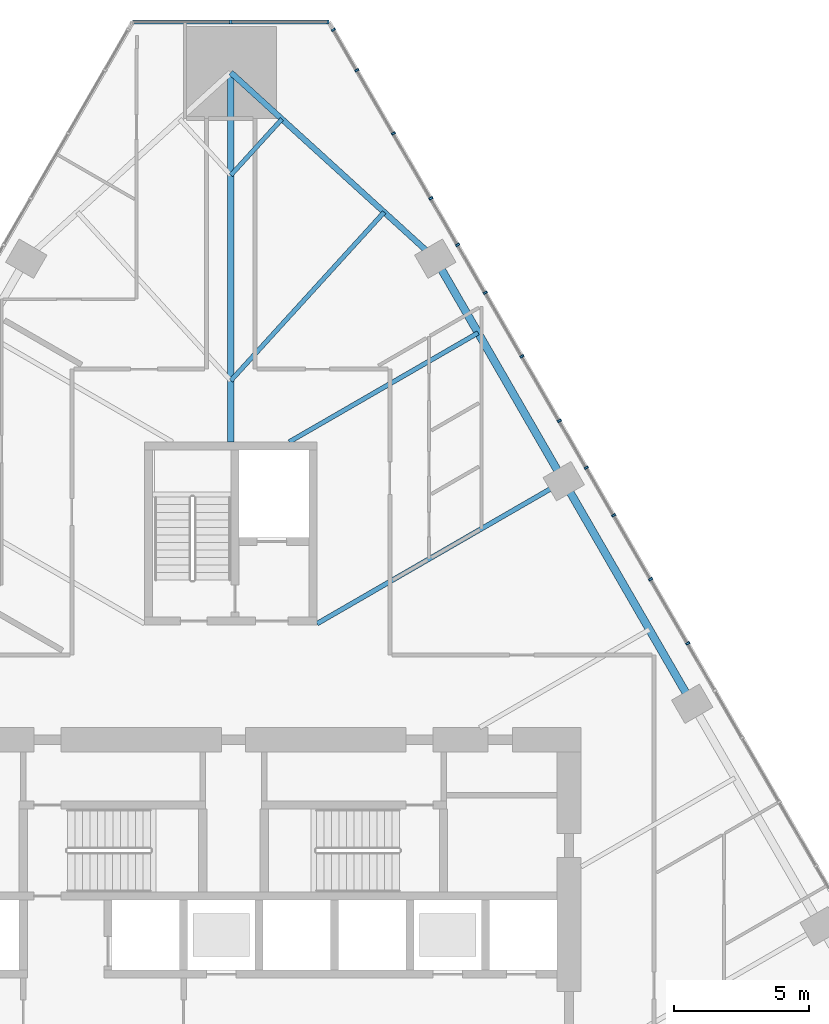
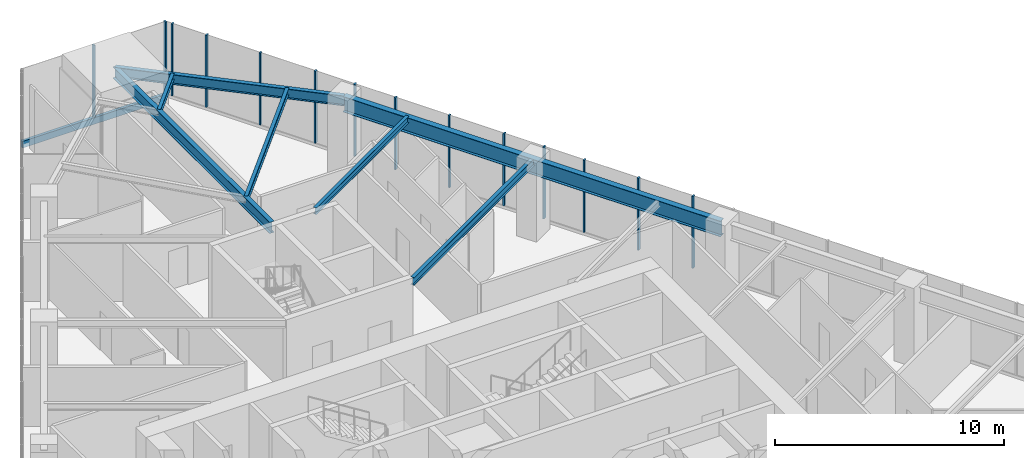
# One storey, part 11 of 25: 15 members, 7 beams, 2 elements without a shape of their own.
"""IFC4 building model written with IfcOpenShell, lengths in metres."""

from ifc_helpers import new_model, si_unit, direction, frame, origin, origin_2d, place, context, subcontext, project, spatial, rectangle, i_section, extrude, material, layer, layer_set, material_profile, profile_set, type_object, element, aggregate, save


model = new_model("IFC4")

# Units and contexts
model_context = context("Model", 3, precision=1e-05, world=origin(), true_north=direction((0.0, 1.0)))
body_context = subcontext(model_context, "Body", "Model", "MODEL_VIEW")
ifc_project = project(units=[si_unit("LENGTHUNIT", "METRE"), si_unit("AREAUNIT", "SQUARE_METRE"), si_unit("VOLUMEUNIT", "CUBIC_METRE"), si_unit("PLANEANGLEUNIT", "RADIAN"), si_unit("MASSUNIT", "GRAM", prefix="KILO")], contexts=[model_context])

# Site, building, storey
site_placement = place(None, origin())
site = spatial("IfcSite", under=ifc_project, at=site_placement, CompositionType="ELEMENT")
building_placement = place(site_placement, origin())
building = spatial("IfcBuilding", under=site, at=building_placement, Name="Firuza Gate Tower and Library", CompositionType="ELEMENT")
storey_placement = place(building_placement, frame((0.0, 0.0, 61.0)))
storey = spatial("IfcBuildingStorey", under=building, at=storey_placement, Name="L13", CompositionType="ELEMENT", Elevation=61.0)

# Curtain wall, members
ifc_material_1 = material(Name="Aluminium 6063-T6", Category="aluminium")
ifc_layer_1 = layer(ifc_material_1, 0.14990234375)
ifc_layer_set_1 = layer_set([ifc_layer_1], Name="Unitised curtain wall, offices")
curtain_wall_type_1 = type_object("IfcCurtainWallType", Name="Unitised curtain wall, offices", PredefinedType="NOTDEFINED", material=ifc_layer_set_1)
placement = place(storey_placement, origin())
curtain_wall_1 = element("IfcCurtainWall", 1, at=placement, inside=storey, type_object=curtain_wall_type_1, Name="CW1 L13 E face", PredefinedType="NOTDEFINED")
ifc_material_2 = material(Name="Aluminium 6063-T6", Category="aluminium")
ifc_material_profile_1 = material_profile(ifc_material_2, rectangle(XDim=0.14990234375, YDim=0.080078125, at=origin_2d()))
ifc_profile_set_1 = profile_set([ifc_material_profile_1], Name="Aluminium 6063-T6")
member_type_1 = type_object("IfcMemberType", Name="Curtain wall mullion 80x150", PredefinedType="MULLION", material=ifc_profile_set_1)
member_1_placement = place(storey_placement, frame((90.579345703125, 89.5078125, 0.14990234375), z_axis=(0.0, 0.0, 1.0), x_axis=(-0.866025403784, -0.5, 0.0)))
member_1 = element("IfcMember", 2, at=member_1_placement, type_object=member_type_1, Name="Mullion", PredefinedType="MULLION", context=body_context, shape_type="SweptSolid", body=[
    extrude(rectangle(XDim=0.14990234375, YDim=0.080078125, at=origin_2d()), origin(), (0.0, 0.0, 1.0), 3.85009765625),
])
member_2_placement = place(storey_placement, frame((88.192138671875, 93.642578125, 0.14990234375), z_axis=(0.0, 0.0, 1.0), x_axis=(-0.866025403784, -0.5, 0.0)))
member_2 = element("IfcMember", 3, at=member_2_placement, type_object=member_type_1, Name="Mullion", PredefinedType="MULLION", context=body_context, shape_type="SweptSolid", body=[
    extrude(rectangle(XDim=0.14990234375, YDim=0.080078125, at=origin_2d()), origin(), (0.0, 0.0, 1.0), 3.85009765625),
])
member_3_placement = place(storey_placement, frame((85.804931640625, 97.77734375, 0.14990234375), z_axis=(0.0, 0.0, 1.0), x_axis=(-0.866025403784, -0.5, 0.0)))
member_3 = element("IfcMember", 4, at=member_3_placement, type_object=member_type_1, Name="Mullion", PredefinedType="MULLION", context=body_context, shape_type="SweptSolid", body=[
    extrude(rectangle(XDim=0.14990234375, YDim=0.080078125, at=origin_2d()), origin(), (0.0, 0.0, 1.0), 3.85009765625),
])
member_4_placement = place(storey_placement, frame((83.417724609375, 101.912109375, 0.14990234375), z_axis=(0.0, 0.0, 1.0), x_axis=(-0.866025403784, -0.5, 0.0)))
member_4 = element("IfcMember", 5, at=member_4_placement, type_object=member_type_1, Name="Mullion", PredefinedType="MULLION", context=body_context, shape_type="SweptSolid", body=[
    extrude(rectangle(XDim=0.14990234375, YDim=0.080078125, at=origin_2d()), origin(), (0.0, 0.0, 1.0), 3.85009765625),
])
member_5_placement = place(storey_placement, frame((81.030517578125, 106.047119140625, 0.14990234375), z_axis=(0.0, 0.0, 1.0), x_axis=(-0.866025403784, -0.5, 0.0)))
member_5 = element("IfcMember", 6, at=member_5_placement, type_object=member_type_1, Name="Mullion", PredefinedType="MULLION", context=body_context, shape_type="SweptSolid", body=[
    extrude(rectangle(XDim=0.14990234375, YDim=0.080078125, at=origin_2d()), origin(), (0.0, 0.0, 1.0), 3.85009765625),
])
member_6_placement = place(storey_placement, frame((91.9560546875, 87.12353515625, 0.14990234375), z_axis=(0.0, 0.0, 1.0), x_axis=(-0.866025403784, -0.5, 0.0)))
member_6 = element("IfcMember", 7, at=member_6_placement, type_object=member_type_1, Name="Mullion", PredefinedType="MULLION", context=body_context, shape_type="SweptSolid", body=[
    extrude(rectangle(XDim=0.14990234375, YDim=0.080078125, at=origin_2d()), origin(), (0.0, 0.0, 1.0), 3.85009765625),
])
member_7_placement = place(storey_placement, frame((89.2099609375, 91.879638671875, 0.14990234375), z_axis=(0.0, 0.0, 1.0), x_axis=(-0.866025403784, -0.5, 0.0)))
member_7 = element("IfcMember", 8, at=member_7_placement, type_object=member_type_1, Name="Mullion", PredefinedType="MULLION", context=body_context, shape_type="SweptSolid", body=[
    extrude(rectangle(XDim=0.14990234375, YDim=0.080078125, at=origin_2d()), origin(), (0.0, 0.0, 1.0), 3.85009765625),
])
member_8_placement = place(storey_placement, frame((87.188720703125, 95.380615234375, 0.14990234375), z_axis=(0.0, 0.0, 1.0), x_axis=(-0.866025403784, -0.5, 0.0)))
member_8 = element("IfcMember", 9, at=member_8_placement, type_object=member_type_1, Name="Mullion", PredefinedType="MULLION", context=body_context, shape_type="SweptSolid", body=[
    extrude(rectangle(XDim=0.14990234375, YDim=0.080078125, at=origin_2d()), origin(), (0.0, 0.0, 1.0), 3.85009765625),
])
member_9_placement = place(storey_placement, frame((84.44287109375, 100.13671875, 0.14990234375), z_axis=(0.0, 0.0, 1.0), x_axis=(-0.866025403784, -0.5, 0.0)))
member_9 = element("IfcMember", 10, at=member_9_placement, type_object=member_type_1, Name="Mullion", PredefinedType="MULLION", context=body_context, shape_type="SweptSolid", body=[
    extrude(rectangle(XDim=0.14990234375, YDim=0.080078125, at=origin_2d()), origin(), (0.0, 0.0, 1.0), 3.85009765625),
])
member_10_placement = place(storey_placement, frame((82.421630859375, 103.6376953125, 0.14990234375), z_axis=(0.0, 0.0, 1.0), x_axis=(-0.866025403784, -0.5, 0.0)))
member_10 = element("IfcMember", 11, at=member_10_placement, type_object=member_type_1, Name="Mullion", PredefinedType="MULLION", context=body_context, shape_type="SweptSolid", body=[
    extrude(rectangle(XDim=0.14990234375, YDim=0.080078125, at=origin_2d()), origin(), (0.0, 0.0, 1.0), 3.85009765625),
])
member_11_placement = place(storey_placement, frame((79.675537109375, 108.393798828125, 0.14990234375), z_axis=(0.0, 0.0, 1.0), x_axis=(-0.866025403784, -0.5, 0.0)))
member_11 = element("IfcMember", 12, at=member_11_placement, type_object=member_type_1, Name="Mullion", PredefinedType="MULLION", context=body_context, shape_type="SweptSolid", body=[
    extrude(rectangle(XDim=0.14990234375, YDim=0.080078125, at=origin_2d()), origin(), (0.0, 0.0, 1.0), 3.85009765625),
])
member_12_placement = place(storey_placement, frame((78.808837890625, 109.89501953125, 0.14990234375), z_axis=(0.0, 0.0, 1.0), x_axis=(-0.866025403784, -0.5, 0.0)))
member_12 = element("IfcMember", 13, at=member_12_placement, type_object=member_type_1, Name="Mullion", PredefinedType="MULLION", context=body_context, shape_type="SweptSolid", body=[
    extrude(rectangle(XDim=0.14990234375, YDim=0.080078125, at=origin_2d()), origin(), (0.0, 0.0, 1.0), 3.85009765625),
])
aggregate(curtain_wall_1, [member_1, member_2, member_3, member_4, member_5, member_6, member_7, member_8, member_9, member_10, member_11, member_12])

ifc_material_3 = material(Name="Aluminium 6063-T6", Category="aluminium")
ifc_layer_2 = layer(ifc_material_3, 0.14990234375)
ifc_layer_set_2 = layer_set([ifc_layer_2], Name="Corner curtain wall, chamfers")
curtain_wall_type_2 = type_object("IfcCurtainWallType", Name="Corner curtain wall, chamfers", PredefinedType="NOTDEFINED", material=ifc_layer_set_2)
curtain_wall_2 = element("IfcCurtainWall", 14, at=placement, inside=storey, type_object=curtain_wall_type_2, Name="CW4 L13 N corner", PredefinedType="NOTDEFINED")
member_13_placement = place(storey_placement, frame((78.603271484375, 110.181884765625, 0.14990234375), z_axis=(0.0, 0.0, 1.0), x_axis=(0.0, -1.0, 0.0)))
member_13 = element("IfcMember", 15, at=member_13_placement, type_object=member_type_1, Name="Mullion", PredefinedType="MULLION", context=body_context, shape_type="SweptSolid", body=[
    extrude(rectangle(XDim=0.14990234375, YDim=0.080078125, at=origin_2d()), origin(), (0.0, 0.0, 1.0), 3.85009765625),
])
member_14_placement = place(storey_placement, frame((75.0, 110.181884765625, 0.14990234375), z_axis=(0.0, 0.0, 1.0), x_axis=(0.0, -1.0, 0.0)))
member_14 = element("IfcMember", 16, at=member_14_placement, type_object=member_type_1, Name="Mullion", PredefinedType="MULLION", context=body_context, shape_type="SweptSolid", body=[
    extrude(rectangle(XDim=0.14990234375, YDim=0.080078125, at=origin_2d()), origin(), (0.0, 0.0, 1.0), 3.85009765625),
])
ifc_material_4 = material(Name="Aluminium 6063-T6", Category="aluminium")
ifc_material_profile_2 = material_profile(ifc_material_4, rectangle(XDim=0.14990234375, YDim=0.35009765625, at=origin_2d()))
ifc_profile_set_2 = profile_set([ifc_material_profile_2], Name="Aluminium 6063-T6")
member_type_2 = type_object("IfcMemberType", Name="Curtain wall transom 350x150", PredefinedType="USERDEFINED", material=ifc_profile_set_2)
member_15_placement = place(storey_placement, frame((78.643310546875, 110.181884765625, -0.02490234375), z_axis=(-1.0, 0.0, 0.0), x_axis=(0.0, -1.0, 0.0)))
member_15 = element("IfcMember", 17, at=member_15_placement, type_object=member_type_2, Name="Transom", ObjectType="TRANSOM", PredefinedType="USERDEFINED", context=body_context, shape_type="SweptSolid", body=[
    extrude(rectangle(XDim=0.14990234375, YDim=0.35009765625, at=origin_2d()), origin(), (0.0, 0.0, 1.0), 7.28662109375),
])
aggregate(curtain_wall_2, [member_13, member_14, member_15])

# Beams
ifc_material_5 = material(Name="Steel S355", Category="steel")
ifc_material_profile_3 = material_profile(ifc_material_5, i_section(OverallWidth=0.1650390625, OverallDepth=0.31005859375, WebThickness=0.005859375, FlangeThickness=0.009765625, at=origin_2d()))
ifc_profile_set_3 = profile_set([ifc_material_profile_3], Name="Steel S355")
beam_type_1 = type_object("IfcBeamType", Name="W310x39 Floor beam", PredefinedType="JOIST", material=ifc_profile_set_3)
beam_1_placement = place(storey_placement, frame((76.89697265625, 106.580078125, 3.844970703125), z_axis=(-0.673146987304, -0.739508710891, 0.0), x_axis=(0.739508710891, -0.673146987304, 0.0)))
element("IfcBeam", 18, at=beam_1_placement, inside=storey, type_object=beam_type_1, Name="Floor beam L13 s61", PredefinedType="JOIST", context=body_context, shape_type="SweptSolid", body=[
    extrude(i_section(OverallWidth=0.1650390625, OverallDepth=0.31005859375, WebThickness=0.005859375, FlangeThickness=0.009765625, at=origin_2d()), origin(), (0.0, 0.0, 1.0), 2.818115234375),
])
ifc_material_6 = material(Name="Steel S355", Category="steel")
ifc_material_profile_4 = material_profile(ifc_material_6, i_section(OverallWidth=0.1708984375, OverallDepth=0.35498046875, WebThickness=0.007080078125, FlangeThickness=0.01171875, at=origin_2d()))
ifc_profile_set_4 = profile_set([ifc_material_profile_4], Name="Steel S355")
beam_type_2 = type_object("IfcBeamType", Name="W360x51 Floor beam", PredefinedType="JOIST", material=ifc_profile_set_4)
beam_2_placement = place(storey_placement, frame((84.177001953125, 98.6474609375, 3.822509765625), z_axis=(-0.8660258691, -0.499999194049, 0.0), x_axis=(0.499999194049, -0.8660258691, 0.0)))
element("IfcBeam", 19, at=beam_2_placement, inside=storey, type_object=beam_type_2, Name="Floor beam L13 s55", PredefinedType="JOIST", context=body_context, shape_type="SweptSolid", body=[
    extrude(i_section(OverallWidth=0.1708984375, OverallDepth=0.35498046875, WebThickness=0.007080078125, FlangeThickness=0.01171875, at=origin_2d()), origin(), (0.0, 0.0, 1.0), 8.0947265625),
])
beam_3_placement = place(storey_placement, frame((80.69091796875, 103.12646484375, 3.822509765625), z_axis=(-0.673161362913, -0.739495625059, 0.0), x_axis=(0.739495625059, -0.673161362913, 0.0)))
element("IfcBeam", 20, at=beam_3_placement, inside=storey, type_object=beam_type_2, Name="Floor beam L13 s60", PredefinedType="JOIST", context=body_context, shape_type="SweptSolid", body=[
    extrude(i_section(OverallWidth=0.1708984375, OverallDepth=0.35498046875, WebThickness=0.007080078125, FlangeThickness=0.01171875, at=origin_2d()), origin(), (0.0, 0.0, 1.0), 8.4541015625),
])
ifc_material_7 = material(Name="Steel S355", Category="steel")
ifc_material_profile_5 = material_profile(ifc_material_7, i_section(OverallWidth=0.177978515625, OverallDepth=0.406982421875, WebThickness=0.0078125, FlangeThickness=0.0126953125, at=origin_2d()))
ifc_profile_set_5 = profile_set([ifc_material_profile_5], Name="Steel S355")
beam_type_3 = type_object("IfcBeamType", Name="W410x60 Floor beam", PredefinedType="JOIST", material=ifc_profile_set_5)
beam_4_placement = place(storey_placement, frame((87.35498046875, 93.142578125, 3.79638671875), z_axis=(-0.866025981243, -0.499998999811, 0.0), x_axis=(0.499998999811, -0.866025981243, 0.0)))
element("IfcBeam", 21, at=beam_4_placement, inside=storey, type_object=beam_type_3, Name="Floor beam L13 s54", PredefinedType="JOIST", context=body_context, shape_type="SweptSolid", body=[
    extrude(i_section(OverallWidth=0.177978515625, OverallDepth=0.406982421875, WebThickness=0.0078125, FlangeThickness=0.0126953125, at=origin_2d()), origin(), (0.0, 0.0, 1.0), 10.5712890625),
])
ifc_material_8 = material(Name="Steel S355", Category="steel")
ifc_material_profile_6 = material_profile(ifc_material_8, i_section(OverallWidth=0.212890625, OverallDepth=0.5390625, WebThickness=0.01171875, FlangeThickness=0.018798828125, at=origin_2d()))
ifc_profile_set_6 = profile_set([ifc_material_profile_6], Name="Steel S355")
beam_type_4 = type_object("IfcBeamType", Name="W530x109 Edge beam", PredefinedType="SPANDREL", material=ifc_profile_set_6)
beam_5_placement = place(storey_placement, frame((82.587890625, 101.399658203125, 3.73046875), z_axis=(-0.739496344773, 0.673160572276, 0.0), x_axis=(-0.673160572276, -0.739496344773, 0.0)))
element("IfcBeam", 22, at=beam_5_placement, inside=storey, type_object=beam_type_4, Name="Edge beam L13 e60", PredefinedType="SPANDREL", context=body_context, shape_type="SweptSolid", body=[
    extrude(i_section(OverallWidth=0.212890625, OverallDepth=0.5390625, WebThickness=0.01171875, FlangeThickness=0.018798828125, at=origin_2d()), origin(), (0.0, 0.0, 1.0), 10.260986328125),
])
ifc_material_9 = material(Name="Steel S355", Category="steel")
ifc_material_profile_7 = material_profile(ifc_material_9, i_section(OverallWidth=0.22802734375, OverallDepth=0.60302734375, WebThickness=0.010498046875, FlangeThickness=0.014892578125, at=origin_2d()))
ifc_profile_set_7 = profile_set([ifc_material_profile_7], Name="Steel S355")
beam_type_5 = type_object("IfcBeamType", Name="W610x101 Girder", PredefinedType="BEAM", material=ifc_profile_set_7)
beam_6_placement = place(storey_placement, frame((75.0, 108.306884765625, 3.698486328125), z_axis=(0.0, -1.0, 0.0), x_axis=(1.0, 0.0, 0.0)))
element("IfcBeam", 23, at=beam_6_placement, inside=storey, type_object=beam_type_5, Name="Girder L13 gN", PredefinedType="BEAM", context=body_context, shape_type="SweptSolid", body=[
    extrude(i_section(OverallWidth=0.22802734375, OverallDepth=0.60302734375, WebThickness=0.010498046875, FlangeThickness=0.014892578125, at=origin_2d()), origin(), (0.0, 0.0, 1.0), 13.706787109375),
])
ifc_material_10 = material(Name="Steel S355", Category="steel")
ifc_material_profile_8 = material_profile(ifc_material_10, i_section(OverallWidth=0.2919921875, OverallDepth=0.8349609375, WebThickness=0.013916015625, FlangeThickness=0.018798828125, at=origin_2d()))
ifc_profile_set_8 = profile_set([ifc_material_profile_8], Name="Steel S355")
beam_type_6 = type_object("IfcBeamType", Name="W840x176 Edge beam", PredefinedType="SPANDREL", material=ifc_profile_set_8)
beam_7_placement = place(storey_placement, frame((92.122314453125, 84.885498046875, 3.58251953125), z_axis=(-0.499998781384, 0.866026107351, 0.0), x_axis=(-0.866026107351, -0.499998781384, 0.0)))
element("IfcBeam", 24, at=beam_7_placement, inside=storey, type_object=beam_type_6, Name="Edge beam L13 e52", PredefinedType="SPANDREL", context=body_context, shape_type="SweptSolid", body=[
    extrude(i_section(OverallWidth=0.2919921875, OverallDepth=0.8349609375, WebThickness=0.013916015625, FlangeThickness=0.018798828125, at=origin_2d()), origin(), (0.0, 0.0, 1.0), 19.06884765625),
])

save(model, "model.ifc")
